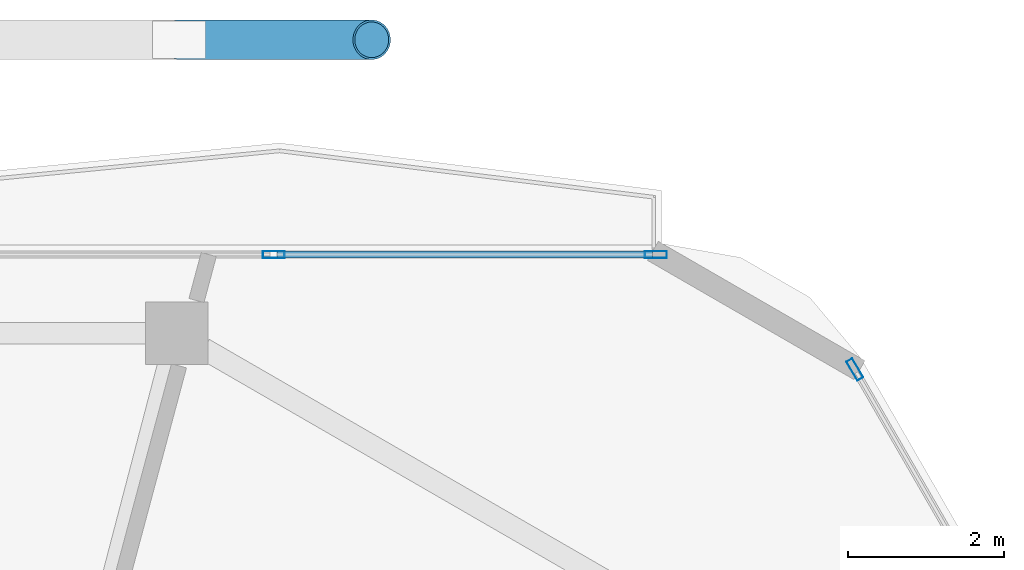
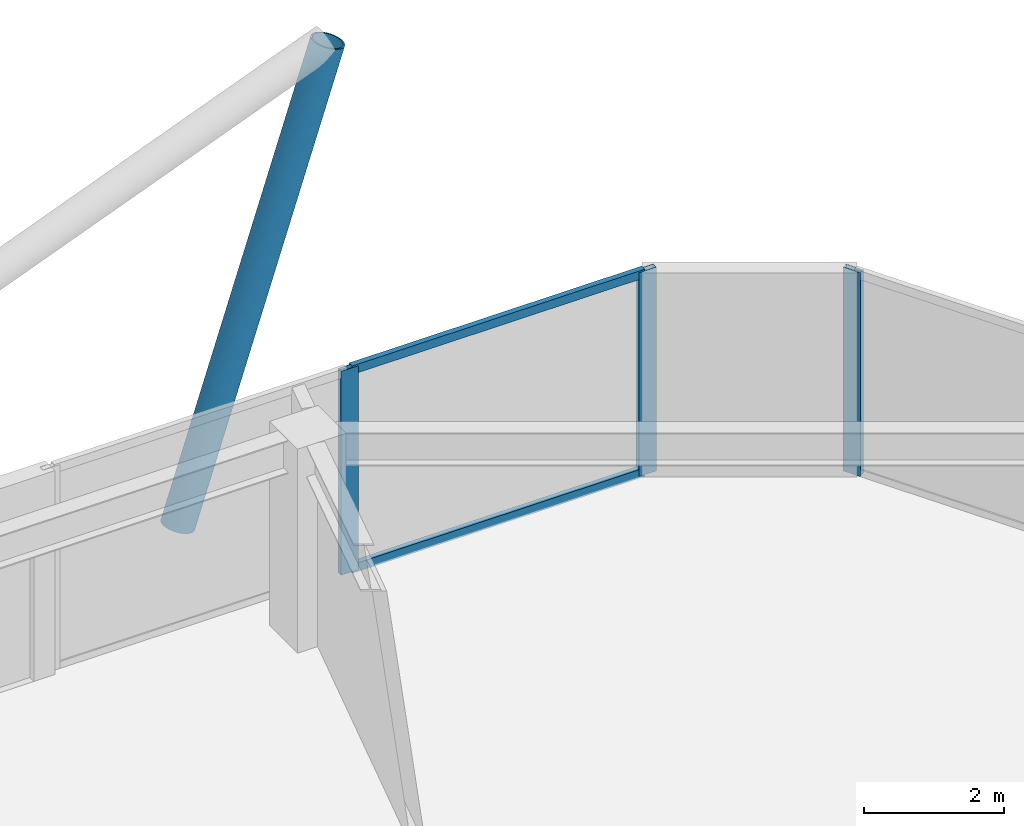
# One storey, part 15 of 23: 6 members, 2 elements without a shape of their own.
"""IFC4 building model written with IfcOpenShell, lengths in metres."""

from ifc_helpers import new_model, si_unit, direction, frame, origin, origin_2d, place, context, subcontext, project, spatial, hollow_rectangle, hollow_circle, extrude, material, material_profile, profile_set, type_object, element, aggregate, save


model = new_model("IFC4")

# Units and contexts
model_context = context("Model", 3, precision=1e-05, world=origin(), true_north=direction((0.0, 1.0)))
body_context = subcontext(model_context, "Body", "Model", "MODEL_VIEW")
ifc_project = project(units=[si_unit("LENGTHUNIT", "METRE"), si_unit("AREAUNIT", "SQUARE_METRE"), si_unit("VOLUMEUNIT", "CUBIC_METRE"), si_unit("PLANEANGLEUNIT", "RADIAN"), si_unit("MASSUNIT", "GRAM", prefix="KILO")], contexts=[model_context])

# Site, building, storey
site_placement = place(None, origin())
site = spatial("IfcSite", under=ifc_project, at=site_placement, CompositionType="ELEMENT")
building_placement = place(site_placement, origin())
building = spatial("IfcBuilding", under=site, at=building_placement, Name="Zuhravey Tower", CompositionType="ELEMENT")
storey_placement = place(building_placement, frame((0.0, 0.0, 323.39990234375)))
storey = spatial("IfcBuildingStorey", under=building, at=storey_placement, Name="L82", CompositionType="ELEMENT", Elevation=323.39990234375)

# Curtain wall, members
ifc_material_1 = material(Name="Thermally broken anodised aluminium", Category="aluminium")
curtain_wall_type = type_object("IfcCurtainWallType", Name="Zone 3-4 High-Rise Curtain Wall CW4", PredefinedType="NOTDEFINED", material=ifc_material_1)
curtain_wall_1_placement = place(storey_placement, origin())
curtain_wall_1 = element("IfcCurtainWall", 1, at=curtain_wall_1_placement, inside=storey, type_object=curtain_wall_type, Name="L82 CW4 CW-L82-F2-2", PredefinedType="NOTDEFINED")
ifc_material_2 = material(Name="Anodised aluminium", Category="aluminium")
ifc_material_profile_1 = material_profile(ifc_material_2, hollow_rectangle(XDim=0.090087890625, YDim=0.284912109375, WallThickness=0.0048828125, at=origin_2d()), Name="ALU-RHS-90x285x5")
ifc_profile_set_1 = profile_set([ifc_material_profile_1], Name="Anodised aluminium")
member_type_1 = type_object("IfcMemberType", Name="Curtain-Wall Mullion 90x180", PredefinedType="MULLION", material=ifc_profile_set_1)
member_1_placement = place(storey_placement, frame((43.284912109375, 56.07421875, 0.0), z_axis=(0.0, 0.0, 1.0), x_axis=(0.0, 1.0, 0.0)))
member_1 = element("IfcMember", 2, at=member_1_placement, type_object=member_type_1, Name="CW4 mullion 2", PredefinedType="MULLION", context=body_context, shape_type="SweptSolid", body=[
    extrude(hollow_rectangle(XDim=0.090087890625, YDim=0.284912109375, WallThickness=0.0048828125, at=origin_2d()), origin(), (0.0, 0.0, 1.0), 3.550048828125),
])
member_2_placement = place(storey_placement, frame((48.1943359375, 56.07421875, 0.0), z_axis=(0.0, 0.0, 1.0), x_axis=(0.0, 1.0, 0.0)))
member_2 = element("IfcMember", 3, at=member_2_placement, type_object=member_type_1, Name="CW4 mullion 3", PredefinedType="MULLION", context=body_context, shape_type="SweptSolid", body=[
    extrude(hollow_rectangle(XDim=0.090087890625, YDim=0.284912109375, WallThickness=0.0048828125, at=origin_2d()), origin(), (0.0, 0.0, 1.0), 3.550048828125),
])

# Curtain wall, member
curtain_wall_2_placement = place(storey_placement, origin())
curtain_wall_2 = element("IfcCurtainWall", 4, at=curtain_wall_2_placement, inside=storey, type_object=curtain_wall_type, Name="L82 CW4 CW-L82-F1-1", PredefinedType="NOTDEFINED")
member_3_placement = place(storey_placement, frame((50.751708984375, 54.59765625, 0.0), z_axis=(0.0, 0.0, 1.0), x_axis=(0.866025511541, 0.49999981336, 0.0)))
member_3 = element("IfcMember", 5, at=member_3_placement, type_object=member_type_1, Name="CW4 mullion 1", PredefinedType="MULLION", context=body_context, shape_type="SweptSolid", body=[
    extrude(hollow_rectangle(XDim=0.090087890625, YDim=0.284912109375, WallThickness=0.0048828125, at=origin_2d()), origin(), (0.0, 0.0, 1.0), 3.550048828125),
])
aggregate(curtain_wall_2, [member_3])

# Member
ifc_material_profile_2 = material_profile(ifc_material_2, hollow_rectangle(XDim=0.090087890625, YDim=0.14990234375, WallThickness=0.0048828125, at=origin_2d()), Name="ALU-RHS-90x150x5")
ifc_profile_set_2 = profile_set([ifc_material_profile_2], Name="Anodised aluminium")
member_type_2 = type_object("IfcMemberType", Name="Curtain-Wall Transom 90x150", PredefinedType="USERDEFINED", material=ifc_profile_set_2)
member_4_placement = place(storey_placement, frame((43.330078125, 56.07421875, 0.045166015625), z_axis=(1.0, 0.0, 0.0), x_axis=(0.0, 1.0, 0.0)))
member_4 = element("IfcMember", 6, at=member_4_placement, type_object=member_type_2, Name="CW4 transom 2.1", ObjectType="TRANSOM", PredefinedType="USERDEFINED", context=body_context, shape_type="SweptSolid", body=[
    extrude(hollow_rectangle(XDim=0.090087890625, YDim=0.14990234375, WallThickness=0.0048828125, at=origin_2d()), origin(), (0.0, 0.0, 1.0), 4.8193359375),
])

member_5_placement = place(storey_placement, frame((43.330078125, 56.07421875, 3.505126953125), z_axis=(1.0, 0.0, 0.0), x_axis=(0.0, 1.0, 0.0)))
member_5 = element("IfcMember", 7, at=member_5_placement, type_object=member_type_2, Name="CW4 transom 2.2", ObjectType="TRANSOM", PredefinedType="USERDEFINED", context=body_context, shape_type="SweptSolid", body=[
    extrude(hollow_rectangle(XDim=0.090087890625, YDim=0.14990234375, WallThickness=0.0048828125, at=origin_2d()), origin(), (0.0, 0.0, 1.0), 4.8193359375),
])

aggregate(curtain_wall_1, [member_1, member_2, member_4, member_5])

ifc_material_3 = material(Name="Steel SM355", Category="steel")
ifc_material_profile_3 = material_profile(ifc_material_3, hollow_circle(Radius=0.25390625, WallThickness=0.02490234375, at=origin_2d()), Name="CHS-508.0x25")
ifc_profile_set_3 = profile_set([ifc_material_profile_3], Name="Steel SM355")
member_type_3 = type_object("IfcMemberType", Name="Exoskeleton Zone 4 Diagrid CHS508x25", PredefinedType="BRACE", material=ifc_profile_set_3)
member_6_placement = place(storey_placement, frame((42.072509765625, 58.833984375, -0.447998046875), z_axis=(0.310453809256, 0.0, 0.950588466329), x_axis=(0.0, 1.0, 0.0)))
element("IfcMember", 8, at=member_6_placement, inside=storey, type_object=member_type_3, Name="L82 Face 2 Diagrid Brace 1", PredefinedType="BRACE", context=body_context, shape_type="SweptSolid", body=[
    extrude(hollow_circle(Radius=0.25390625, WallThickness=0.02490234375, at=origin_2d()), origin(), (0.0, 0.0, 1.0), 7.96142578125),
])

save(model, "model.ifc")
